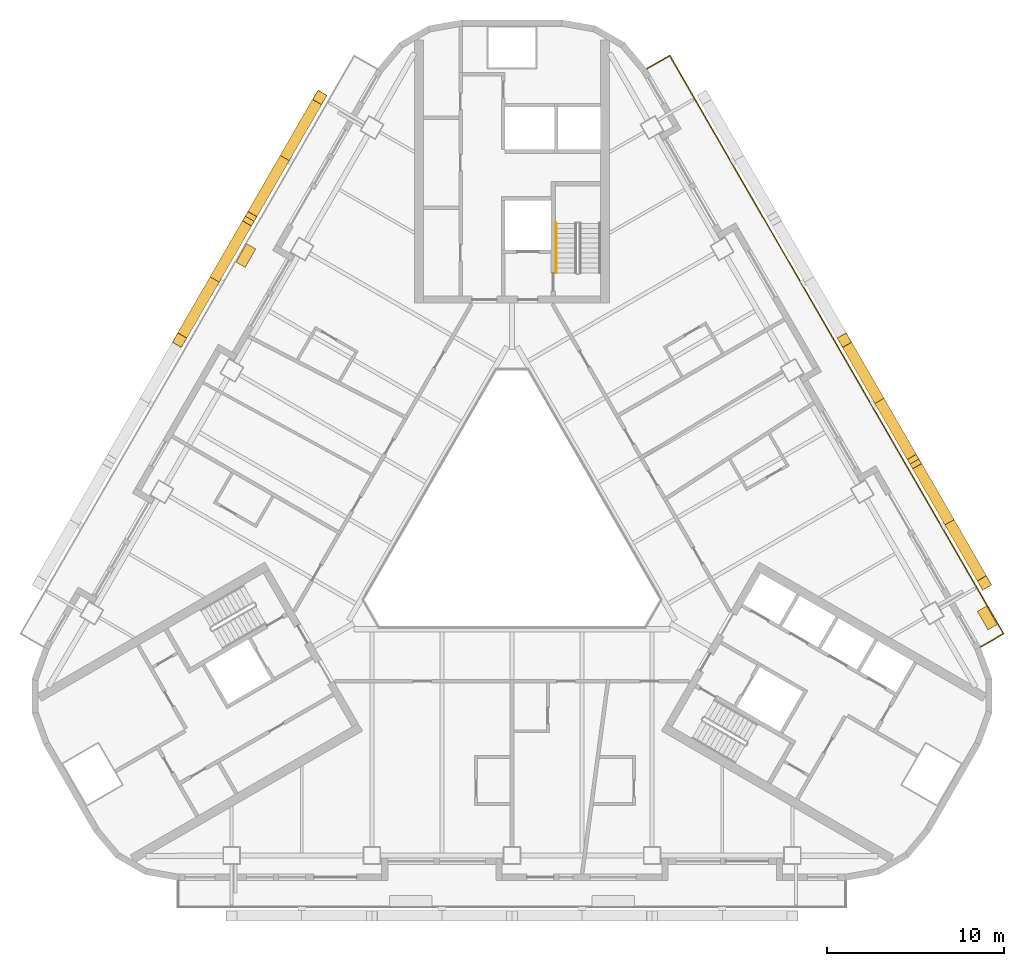
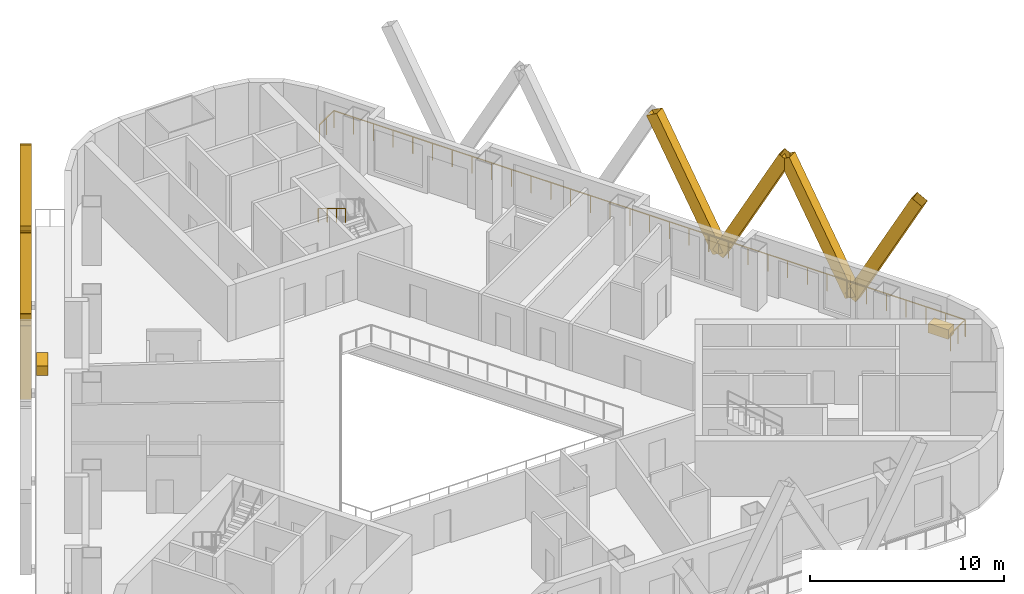
# One storey, part 12 of 13: 8 shading devices, 2 coverings, 2 railings.
"""IFC4 building model written with IfcOpenShell, lengths in metres."""

from ifc_helpers import new_model, si_unit, direction, frame, origin, origin_2d, place, context, subcontext, project, spatial, rectangle, hollow_rectangle, circle, extrude, material, material_profile, profile_set, type_object, element, save


model = new_model("IFC4")

# Units and contexts
model_context = context("Model", 3, precision=1e-05, world=origin(), true_north=direction((0.0, 1.0)))
body_context = subcontext(model_context, "Body", "Model", "MODEL_VIEW")
ifc_project = project(units=[si_unit("LENGTHUNIT", "METRE"), si_unit("AREAUNIT", "SQUARE_METRE"), si_unit("VOLUMEUNIT", "CUBIC_METRE"), si_unit("PLANEANGLEUNIT", "RADIAN"), si_unit("MASSUNIT", "GRAM", prefix="KILO")], contexts=[model_context])

# Site, building, storey
site_placement = place(None, origin())
site = spatial("IfcSite", under=ifc_project, at=site_placement, CompositionType="ELEMENT")
building_placement = place(site_placement, origin())
building = spatial("IfcBuilding", under=site, at=building_placement, Name="Apuvela Tower Hotel", CompositionType="ELEMENT")
storey_placement = place(building_placement, frame((0.0, 0.0, 68.699951171875)))
storey = spatial("IfcBuildingStorey", under=building, at=storey_placement, Name="L14", CompositionType="ELEMENT", Elevation=68.699951171875)

# Railing
ifc_material_1 = material(Name="Stainless steel 316 handrail", Category="steel")
railing_type_1 = type_object("IfcRailingType", Name="COR-HANDRAIL-900", PredefinedType="HANDRAIL", material=ifc_material_1)
railing_1_placement = place(storey_placement, frame((2.5, 17.39990234375, 2.018310546875)))
element("IfcRailing", 1, at=railing_1_placement, inside=storey, type_object=railing_type_1, Name="L14 ST1 stair handrail 2", PredefinedType="HANDRAIL", context=body_context, shape_type="SweptSolid", body=[
    extrude(circle(Radius=0.02392578125, at=origin_2d()), frame((0.0, 0.0, 0.8759765625), z_axis=(0.0, -0.857255387014, 0.514891446264), x_axis=(1.0, 0.0, 0.0)), (0.0, 0.0, 1.0), 3.26611328125),
    extrude(rectangle(XDim=0.0419921875, YDim=0.0419921875, at=origin_2d()), origin(), (0.0, 0.0, 1.0), 0.851806640625),
    extrude(rectangle(XDim=0.0419921875, YDim=0.0419921875, at=origin_2d()), frame((0.0, -0.933349609375, 0.560546875)), (0.0, 0.0, 1.0), 0.851806640625),
    extrude(rectangle(XDim=0.0419921875, YDim=0.0419921875, at=origin_2d()), frame((0.0, -1.866455078125, 1.12109375)), (0.0, 0.0, 1.0), 0.851806640625),
    extrude(rectangle(XDim=0.0419921875, YDim=0.0419921875, at=origin_2d()), frame((0.0, -2.7998046875, 1.681640625)), (0.0, 0.0, 1.0), 0.851806640625),
])

# Shading devices
ifc_material_2 = material(Name="Aluminium 6063-T6, black anodised", Category="aluminium")
ifc_material_profile = material_profile(ifc_material_2, hollow_rectangle(XDim=0.60009765625, YDim=0.699951171875, WallThickness=0.011962890625, at=origin_2d()), Name="AL BOX 700x600x12")
ifc_profile_set = profile_set([ifc_material_profile], Name="Aluminium 6063-T6, black anodised")
shading_device_type = type_object("IfcShadingDeviceType", Name="ENV-FIN-700x600", PredefinedType="USERDEFINED", material=ifc_profile_set)
for number, where, z_axis, x_axis, name in (
    (2, (24.656982421875, 0.552490234375, -0.099853515625), (0.235463880167, -0.407797827568, 0.882189148067), (0.866005453737, 0.500034552904, 0.0), "Lattice fin NE73"),
    (3, (24.656982421875, 0.552490234375, -0.099853515625), (-0.235433593518, 0.407824887177, 0.882184722404), (-0.866047669374, -0.499961432884, 0.0), "Lattice fin NE74"),
    (4, (20.70703125, 7.394287109375, -0.099853515625), (0.235461085354, -0.407822092458, 0.882178677019), (0.866020906874, 0.500007788796, 0.0), "Lattice fin NE75"),
):
    element("IfcShadingDevice", number, at=place(storey_placement, frame(where, z_axis=z_axis, x_axis=x_axis)), inside=storey, type_object=shading_device_type, Name=name, ObjectType="FIN", PredefinedType="USERDEFINED", context=body_context, shape_type="SweptSolid", body=[
        extrude(hollow_rectangle(XDim=0.60009765625, YDim=0.699951171875, WallThickness=0.011962890625, at=origin_2d()), origin(), (0.0, 0.0, 1.0), 8.38818359375),
    ])
shading_device_placement = place(storey_placement, frame((20.70703125, 7.394287109375, -0.099853515625), z_axis=(-0.235436388043, 0.407800622186, 0.882195193667), x_axis=(-0.866032218625, -0.499988196164, 0.0)))
element("IfcShadingDevice", 5, at=shading_device_placement, inside=storey, type_object=shading_device_type, Name="Lattice fin NE76", ObjectType="FIN", PredefinedType="USERDEFINED", context=body_context, shape_type="SweptSolid", body=[
    extrude(hollow_rectangle(XDim=0.60009765625, YDim=0.699951171875, WallThickness=0.011962890625, at=origin_2d()), origin(), (0.0, 0.0, 1.0), 8.387939453125),
])
for number, where, z_axis, x_axis, name in (
    (6, (-12.80712890625, 21.077392578125, -0.099853515625), (0.235461085354, 0.407822092458, 0.882178677019), (-0.866020906874, 0.500007788796, 0.0), "Lattice fin NW121"),
    (7, (-12.80712890625, 21.077392578125, -0.099853515625), (-0.235433593518, -0.407824887177, 0.882184722404), (0.866047669374, -0.499961432884, 0.0), "Lattice fin NW122"),
    (8, (-16.757080078125, 14.23583984375, -0.099853515625), (0.235463880167, 0.407797827568, 0.882189148067), (-0.866005453737, 0.500034552904, 0.0), "Lattice fin NW123"),
    (9, (-16.757080078125, 14.23583984375, -0.099853515625), (-0.235461085354, -0.407822092458, 0.882178677019), (0.866020906874, -0.500007788796, 0.0), "Lattice fin NW124"),
):
    element("IfcShadingDevice", number, at=place(storey_placement, frame(where, z_axis=z_axis, x_axis=x_axis)), inside=storey, type_object=shading_device_type, Name=name, ObjectType="FIN", PredefinedType="USERDEFINED", context=body_context, shape_type="SweptSolid", body=[
        extrude(hollow_rectangle(XDim=0.60009765625, YDim=0.699951171875, WallThickness=0.011962890625, at=origin_2d()), origin(), (0.0, 0.0, 1.0), 8.38818359375),
    ])

# Railing
ifc_material_3 = material(Name="Stainless steel 316 rail with laminated glass infill", Category="steel")
railing_type_2 = type_object("IfcRailingType", Name="ENV-GUARD-1100", PredefinedType="GUARDRAIL", material=ifc_material_3)
railing_2_placement = place(storey_placement, frame((26.407958984375, -6.47998046875, 0.0)))
element("IfcRailing", 10, at=railing_2_placement, inside=storey, type_object=railing_type_2, Name="Balcony guard NE L14", PredefinedType="GUARDRAIL", context=body_context, shape_type="SweptSolid", body=[
    extrude(rectangle(XDim=0.050048828125, YDim=0.050048828125, at=origin_2d()), frame((0.0, 0.0, 1.0751953125), z_axis=(0.866031096941, 0.499990139034, 0.0), x_axis=(-0.499990139034, 0.866031096941, 0.0)), (0.0, 0.0, 1.0), 1.5),
    extrude(rectangle(XDim=0.050048828125, YDim=0.050048828125, at=origin_2d()), frame((1.299072265625, 0.75, 1.0751953125), z_axis=(-0.500000437506, 0.86602515119, 0.0), x_axis=(-0.86602515119, -0.500000437506, 0.0)), (0.0, 0.0, 1.0), 37.6318359375),
    extrude(rectangle(XDim=0.050048828125, YDim=0.050048828125, at=origin_2d()), frame((-17.516845703125, 33.340087890625, 1.0751953125), z_axis=(-0.86599040064, -0.500060622324, 0.0), x_axis=(0.500060622324, -0.86599040064, 0.0)), (0.0, 0.0, 1.0), 1.499755859375),
    extrude(rectangle(XDim=0.0400390625, YDim=0.0400390625, at=origin_2d()), origin(), (0.0, 0.0, 1.0), 1.050048828125),
    extrude(rectangle(XDim=0.0400390625, YDim=0.0400390625, at=origin_2d()), frame((0.6494140625, 0.375, 0.0)), (0.0, 0.0, 1.0), 1.050048828125),
    extrude(rectangle(XDim=0.0400390625, YDim=0.0400390625, at=origin_2d()), frame((1.299072265625, 0.75, 0.0)), (0.0, 0.0, 1.0), 1.050048828125),
    extrude(rectangle(XDim=0.0400390625, YDim=0.0400390625, at=origin_2d()), frame((0.711181640625, 1.7685546875, 0.0)), (0.0, 0.0, 1.0), 1.050048828125),
    extrude(rectangle(XDim=0.0400390625, YDim=0.0400390625, at=origin_2d()), frame((0.123046875, 2.786865234375, 0.0)), (0.0, 0.0, 1.0), 1.050048828125),
    extrude(rectangle(XDim=0.0400390625, YDim=0.0400390625, at=origin_2d()), frame((-0.46484375, 3.805419921875, 0.0)), (0.0, 0.0, 1.0), 1.050048828125),
    extrude(rectangle(XDim=0.0400390625, YDim=0.0400390625, at=origin_2d()), frame((-1.052978515625, 4.82373046875, 0.0)), (0.0, 0.0, 1.0), 1.050048828125),
    extrude(rectangle(XDim=0.0400390625, YDim=0.0400390625, at=origin_2d()), frame((-1.640869140625, 5.84228515625, 0.0)), (0.0, 0.0, 1.0), 1.050048828125),
    extrude(rectangle(XDim=0.0400390625, YDim=0.0400390625, at=origin_2d()), frame((-2.22900390625, 6.860595703125, 0.0)), (0.0, 0.0, 1.0), 1.050048828125),
    extrude(rectangle(XDim=0.0400390625, YDim=0.0400390625, at=origin_2d()), frame((-2.81689453125, 7.879150390625, 0.0)), (0.0, 0.0, 1.0), 1.050048828125),
    extrude(rectangle(XDim=0.0400390625, YDim=0.0400390625, at=origin_2d()), frame((-3.40478515625, 8.8974609375, 0.0)), (0.0, 0.0, 1.0), 1.050048828125),
    extrude(rectangle(XDim=0.0400390625, YDim=0.0400390625, at=origin_2d()), frame((-3.992919921875, 9.916015625, 0.0)), (0.0, 0.0, 1.0), 1.050048828125),
    extrude(rectangle(XDim=0.0400390625, YDim=0.0400390625, at=origin_2d()), frame((-4.580810546875, 10.934326171875, 0.0)), (0.0, 0.0, 1.0), 1.050048828125),
    extrude(rectangle(XDim=0.0400390625, YDim=0.0400390625, at=origin_2d()), frame((-5.1689453125, 11.952880859375, 0.0)), (0.0, 0.0, 1.0), 1.050048828125),
    extrude(rectangle(XDim=0.0400390625, YDim=0.0400390625, at=origin_2d()), frame((-5.7568359375, 12.97119140625, 0.0)), (0.0, 0.0, 1.0), 1.050048828125),
    extrude(rectangle(XDim=0.0400390625, YDim=0.0400390625, at=origin_2d()), frame((-6.344970703125, 13.98974609375, 0.0)), (0.0, 0.0, 1.0), 1.050048828125),
    extrude(rectangle(XDim=0.0400390625, YDim=0.0400390625, at=origin_2d()), frame((-6.932861328125, 15.008056640625, 0.0)), (0.0, 0.0, 1.0), 1.050048828125),
    extrude(rectangle(XDim=0.0400390625, YDim=0.0400390625, at=origin_2d()), frame((-7.52099609375, 16.026611328125, 0.0)), (0.0, 0.0, 1.0), 1.050048828125),
    extrude(rectangle(XDim=0.0400390625, YDim=0.0400390625, at=origin_2d()), frame((-8.10888671875, 17.044921875, 0.0)), (0.0, 0.0, 1.0), 1.050048828125),
    extrude(rectangle(XDim=0.0400390625, YDim=0.0400390625, at=origin_2d()), frame((-8.69677734375, 18.0634765625, 0.0)), (0.0, 0.0, 1.0), 1.050048828125),
    extrude(rectangle(XDim=0.0400390625, YDim=0.0400390625, at=origin_2d()), frame((-9.284912109375, 19.08203125, 0.0)), (0.0, 0.0, 1.0), 1.050048828125),
    extrude(rectangle(XDim=0.0400390625, YDim=0.0400390625, at=origin_2d()), frame((-9.872802734375, 20.100341796875, 0.0)), (0.0, 0.0, 1.0), 1.050048828125),
    extrude(rectangle(XDim=0.0400390625, YDim=0.0400390625, at=origin_2d()), frame((-10.4609375, 21.118896484375, 0.0)), (0.0, 0.0, 1.0), 1.050048828125),
    extrude(rectangle(XDim=0.0400390625, YDim=0.0400390625, at=origin_2d()), frame((-11.048828125, 22.13720703125, 0.0)), (0.0, 0.0, 1.0), 1.050048828125),
    extrude(rectangle(XDim=0.0400390625, YDim=0.0400390625, at=origin_2d()), frame((-11.636962890625, 23.15576171875, 0.0)), (0.0, 0.0, 1.0), 1.050048828125),
    extrude(rectangle(XDim=0.0400390625, YDim=0.0400390625, at=origin_2d()), frame((-12.224853515625, 24.174072265625, 0.0)), (0.0, 0.0, 1.0), 1.050048828125),
    extrude(rectangle(XDim=0.0400390625, YDim=0.0400390625, at=origin_2d()), frame((-12.81298828125, 25.192626953125, 0.0)), (0.0, 0.0, 1.0), 1.050048828125),
    extrude(rectangle(XDim=0.0400390625, YDim=0.0400390625, at=origin_2d()), frame((-13.40087890625, 26.2109375, 0.0)), (0.0, 0.0, 1.0), 1.050048828125),
    extrude(rectangle(XDim=0.0400390625, YDim=0.0400390625, at=origin_2d()), frame((-13.98876953125, 27.2294921875, 0.0)), (0.0, 0.0, 1.0), 1.050048828125),
    extrude(rectangle(XDim=0.0400390625, YDim=0.0400390625, at=origin_2d()), frame((-14.576904296875, 28.247802734375, 0.0)), (0.0, 0.0, 1.0), 1.050048828125),
    extrude(rectangle(XDim=0.0400390625, YDim=0.0400390625, at=origin_2d()), frame((-15.164794921875, 29.266357421875, 0.0)), (0.0, 0.0, 1.0), 1.050048828125),
    extrude(rectangle(XDim=0.0400390625, YDim=0.0400390625, at=origin_2d()), frame((-15.7529296875, 30.28466796875, 0.0)), (0.0, 0.0, 1.0), 1.050048828125),
    extrude(rectangle(XDim=0.0400390625, YDim=0.0400390625, at=origin_2d()), frame((-16.3408203125, 31.30322265625, 0.0)), (0.0, 0.0, 1.0), 1.050048828125),
    extrude(rectangle(XDim=0.0400390625, YDim=0.0400390625, at=origin_2d()), frame((-16.928955078125, 32.321533203125, 0.0)), (0.0, 0.0, 1.0), 1.050048828125),
    extrude(rectangle(XDim=0.0400390625, YDim=0.0400390625, at=origin_2d()), frame((-17.516845703125, 33.340087890625, 0.0)), (0.0, 0.0, 1.0), 1.050048828125),
    extrude(rectangle(XDim=0.0400390625, YDim=0.0400390625, at=origin_2d()), frame((-18.166259765625, 32.965087890625, 0.0)), (0.0, 0.0, 1.0), 1.050048828125),
    extrude(rectangle(XDim=0.0400390625, YDim=0.0400390625, at=origin_2d()), frame((-18.815673828125, 32.590087890625, 0.0)), (0.0, 0.0, 1.0), 1.050048828125),
])

# Coverings
ifc_material_4 = material(Name="Planting substrate and soil, planted")
covering_type = type_object("IfcCoveringType", Name="ENV-PLANTER-1200x600", PredefinedType="USERDEFINED", material=ifc_material_4)
for number, where, z_axis, x_axis, name in (
    (11, (26.788818359375, -4.839599609375, 0.0), (0.0, 0.0, 1.0), (-0.5, 0.866025403784, 0.0), "Planter NE3"),
    (12, (-14.99609375, 15.586181640625, 0.0), (0.0, 0.0, 1.0), (-0.5, -0.866025403784, 0.0), "Planter NW4"),
):
    element("IfcCovering", number, at=place(storey_placement, frame(where, z_axis=z_axis, x_axis=x_axis)), inside=storey, type_object=covering_type, Name=name, ObjectType="PLANTER", PredefinedType="USERDEFINED", context=body_context, shape_type="SweptSolid", body=[
        extrude(rectangle(XDim=1.199951171875, YDim=0.60009765625, at=origin_2d()), origin(), (0.0, 0.0, 1.0), 0.60009765625),
    ])

save(model, "model.ifc")
